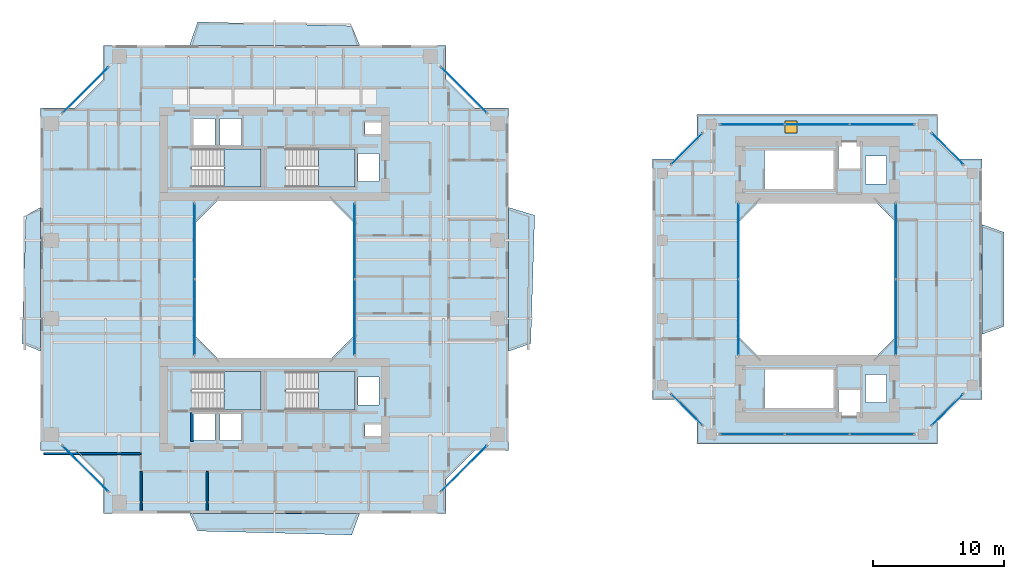
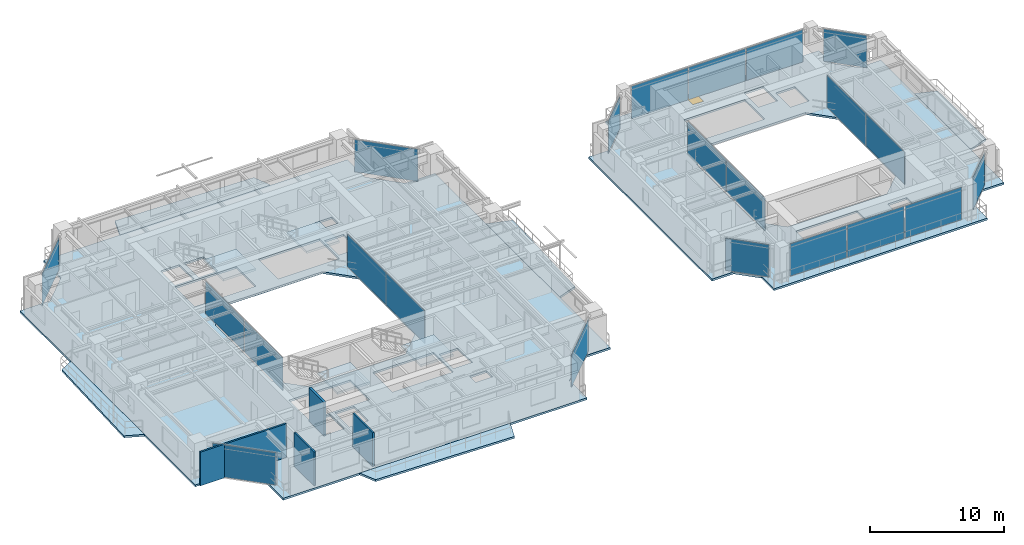
# One storey, part 12 of 24: 22 plates, 11 slabs, 4 walls, 1 door, 1 opening, 18 elements without a shape of their own.
"""IFC4 building model written with IfcOpenShell, lengths in metres."""

from ifc_helpers import new_model, si_unit, direction, frame, frame_2d, origin, origin_2d, place, context, subcontext, project, spatial, polyline, rectangle, outline, extrude, source, transform, mapped, material, layer, layer_set, type_object, element, fill, aggregate, save


model = new_model("IFC4")

# Units and contexts
model_context = context("Model", 3, precision=1e-05, world=origin(), true_north=direction((0.0, 1.0)))
body_context = subcontext(model_context, "Body", "Model", "MODEL_VIEW")
ifc_project = project(units=[si_unit("LENGTHUNIT", "METRE"), si_unit("AREAUNIT", "SQUARE_METRE"), si_unit("VOLUMEUNIT", "CUBIC_METRE"), si_unit("PLANEANGLEUNIT", "RADIAN"), si_unit("MASSUNIT", "GRAM", prefix="KILO"), si_unit("THERMODYNAMICTEMPERATUREUNIT", "KELVIN"), si_unit("POWERUNIT", "WATT")], contexts=[model_context])

# Site, building, storey
site_placement = place(None, origin())
site = spatial("IfcSite", under=ifc_project, at=site_placement, CompositionType="ELEMENT")
building_placement = place(site_placement, origin())
building = spatial("IfcBuilding", under=site, at=building_placement, Name="Qiaomeng Ring Towers", CompositionType="ELEMENT")
storey_placement = place(building_placement, frame((0.0, 0.0, 110.0)))
storey = spatial("IfcBuildingStorey", under=building, at=storey_placement, Name="L31", CompositionType="ELEMENT", Elevation=110.0)

# Slab
ifc_material_1 = material(Name="Concrete C40", Category="concrete")
ifc_layer_1 = layer(ifc_material_1, 0.179931640625, Name="Concrete C40")
ifc_layer_set_1 = layer_set([ifc_layer_1], Name="Concrete C40")
slab_type_1 = type_object("IfcSlabType", Name="STR-SL-180", PredefinedType="FLOOR", material=ifc_layer_set_1)
slab_1_placement = place(storey_placement, frame((0.0, 0.0, -0.179931640625)))
element("IfcSlab", 1, at=slab_1_placement, inside=storey, type_object=slab_type_1, Name="L31 Tower 1 Annular Floor Slab", PredefinedType="FLOOR", context=body_context, shape_type="SweptSolid", body=[
    extrude(outline(polyline([(5.89990234375, 5.10009765625), (32.10009765625, 5.10009765625), (32.10009765625, 7.699951171875), (34.300048828125, 9.89990234375), (36.89990234375, 9.89990234375), (36.89990234375, 36.10009765625), (34.300048828125, 36.10009765625), (32.10009765625, 38.300048828125), (32.10009765625, 40.89990234375), (5.89990234375, 40.89990234375), (5.89990234375, 38.300048828125), (3.699951171875, 36.10009765625), (1.10009765625, 36.10009765625), (1.10009765625, 9.89990234375), (3.699951171875, 9.89990234375), (5.89990234375, 7.699951171875), (5.89990234375, 5.10009765625)]), holes=[polyline([(12.780029296875, 10.679931640625), (12.780029296875, 12.820068359375), (14.419921875, 12.820068359375), (14.419921875, 10.679931640625), (12.780029296875, 10.679931640625)]), polyline([(14.830078125, 12.820068359375), (16.469970703125, 12.820068359375), (16.469970703125, 10.679931640625), (14.830078125, 10.679931640625), (14.830078125, 12.820068359375)]), polyline([(12.679931640625, 15.949951171875), (17.949951171875, 15.949951171875), (17.949951171875, 13.010009765625), (12.679931640625, 13.010009765625), (12.679931640625, 15.949951171875)]), polyline([(23.199951171875, 29.199951171875), (25.199951171875, 27.199951171875), (25.199951171875, 18.800048828125), (23.199951171875, 16.800048828125), (14.800048828125, 16.800048828125), (12.800048828125, 18.800048828125), (12.800048828125, 27.199951171875), (14.800048828125, 29.199951171875), (23.199951171875, 29.199951171875)]), polyline([(12.679931640625, 32.989990234375), (17.949951171875, 32.989990234375), (17.949951171875, 30.050048828125), (12.679931640625, 30.050048828125), (12.679931640625, 32.989990234375)]), polyline([(12.780029296875, 35.320068359375), (14.419921875, 35.320068359375), (14.419921875, 33.179931640625), (12.780029296875, 33.179931640625), (12.780029296875, 35.320068359375)]), polyline([(14.830078125, 33.179931640625), (14.830078125, 35.320068359375), (16.469970703125, 35.320068359375), (16.469970703125, 33.179931640625), (14.830078125, 33.179931640625)]), polyline([(25.919921875, 11.89990234375), (27.360107421875, 11.89990234375), (27.360107421875, 11.0), (25.919921875, 11.0), (25.919921875, 11.89990234375)]), polyline([(25.360107421875, 15.52001953125), (27.0, 15.52001953125), (27.0, 13.3798828125), (25.360107421875, 13.3798828125), (25.360107421875, 15.52001953125)]), polyline([(19.8798828125, 15.949951171875), (25.14990234375, 15.949951171875), (25.14990234375, 13.010009765625), (19.8798828125, 13.010009765625), (19.8798828125, 15.949951171875)]), polyline([(19.8798828125, 32.989990234375), (25.14990234375, 32.989990234375), (25.14990234375, 30.050048828125), (19.8798828125, 30.050048828125), (19.8798828125, 32.989990234375)]), polyline([(25.360107421875, 32.6201171875), (27.0, 32.6201171875), (27.0, 30.47998046875), (25.360107421875, 30.47998046875), (25.360107421875, 32.6201171875)]), polyline([(25.919921875, 35.0), (27.360107421875, 35.0), (27.360107421875, 34.10009765625), (25.919921875, 34.10009765625), (25.919921875, 35.0)])]), origin(), (0.0, 0.0, 1.0), 0.179931640625),
])

# Slab, opening, door
slab_2_placement = place(storey_placement, frame((0.0, 0.0, -0.179931640625)))
slab_2 = element("IfcSlab", 2, at=slab_2_placement, inside=storey, type_object=slab_type_1, Name="L31 Companion Tower 2 Annular Floor Slab", PredefinedType="FLOOR", context=body_context, shape_type="SweptSolid", body=[
    extrude(outline(polyline([(51.300048828125, 10.39990234375), (69.699951171875, 10.39990234375), (69.699951171875, 12.300048828125), (71.199951171875, 13.800048828125), (73.10009765625, 13.800048828125), (73.10009765625, 32.199951171875), (71.199951171875, 32.199951171875), (69.699951171875, 33.699951171875), (69.699951171875, 35.60009765625), (51.300048828125, 35.60009765625), (51.300048828125, 33.699951171875), (49.800048828125, 32.199951171875), (47.89990234375, 32.199951171875), (47.89990234375, 13.800048828125), (49.800048828125, 13.800048828125), (51.300048828125, 12.300048828125), (51.300048828125, 10.39990234375)]), holes=[polyline([(62.1298828125, 12.3798828125), (62.1298828125, 14.52001953125), (63.77001953125, 14.52001953125), (63.77001953125, 12.3798828125), (62.1298828125, 12.3798828125)]), polyline([(56.47998046875, 13.159912109375), (56.47998046875, 16.10009765625), (61.75, 16.10009765625), (61.75, 13.159912109375), (56.47998046875, 13.159912109375)]), polyline([(64.179931640625, 13.580078125), (64.179931640625, 15.719970703125), (65.820068359375, 15.719970703125), (65.820068359375, 13.580078125), (64.179931640625, 13.580078125)]), polyline([(64.800048828125, 29.10009765625), (66.60009765625, 27.300048828125), (66.60009765625, 18.699951171875), (64.800048828125, 16.89990234375), (56.199951171875, 16.89990234375), (54.39990234375, 18.699951171875), (54.39990234375, 27.300048828125), (56.199951171875, 29.10009765625), (64.800048828125, 29.10009765625)]), polyline([(64.179931640625, 30.280029296875), (64.179931640625, 32.419921875), (65.820068359375, 32.419921875), (65.820068359375, 30.280029296875), (64.179931640625, 30.280029296875)]), polyline([(56.47998046875, 32.840087890625), (61.75, 32.840087890625), (61.75, 29.89990234375), (56.47998046875, 29.89990234375), (56.47998046875, 32.840087890625)]), polyline([(62.1298828125, 33.6201171875), (63.77001953125, 33.6201171875), (63.77001953125, 31.47998046875), (62.1298828125, 31.47998046875), (62.1298828125, 33.6201171875)])]), origin(), (0.0, 0.0, 1.0), 0.179931640625),
])
opening_placement = place(slab_2_placement, frame((58.5, 34.64990234375, 0.0)))
opening = element("IfcOpeningElement", 3, at=opening_placement, cuts=slab_2, Name="Opening HT2", PredefinedType="OPENING", context=body_context, shape_type="SweptSolid", body=[
    extrude(rectangle(XDim=0.89990234375, YDim=0.89990234375, at=origin_2d()), frame((0.0, 0.0, -0.010009765625)), (0.0, 0.0, 1.0), 0.199951171875),
])
ifc_material_2 = material(Name="Galvanised steel", Category="steel")
door_type = type_object("IfcDoorType", Name="ARC-DR-TD1", OperationType="NOTDEFINED", PredefinedType="TRAPDOOR", material=ifc_material_2)
door_placement = place(opening_placement, frame((0.0, 0.0, 0.1298828125)))
door = element("IfcDoor", 4, at=door_placement, inside=storey, type_object=door_type, Name="L31 Companion Maintenance Access Hatch HT2", OperationType="SINGLE_SWING_LEFT", OverallHeight=0.89990234375, OverallWidth=0.89990234375, PredefinedType="TRAPDOOR", context=body_context, shape_type="SweptSolid", body=[
    extrude(rectangle(XDim=0.89990234375, YDim=0.89990234375, at=origin_2d()), origin(), (0.0, 0.0, 1.0), 0.050048828125),
])
fill(opening, door)

# Slabs
ifc_layer_2 = layer(ifc_material_1, 0.179931640625, Name="Concrete C40")
ifc_layer_set_2 = layer_set([ifc_layer_2], Name="Concrete C40")
slab_type_2 = type_object("IfcSlabType", Name="STR-SL-BAL", PredefinedType="FLOOR", material=ifc_layer_set_2)
slab_3_placement = place(storey_placement, frame((0.0, 0.0, -0.179931640625)))
element("IfcSlab", 5, at=slab_3_placement, inside=storey, type_object=slab_type_2, Name="L31 Tower 1 S Faceted Balcony Slab", PredefinedType="FLOOR", context=body_context, shape_type="SweptSolid", body=[
    extrude(outline(polyline([(24.89990234375, 3.449951171875), (13.10009765625, 3.75), (12.5, 5.10009765625), (25.5, 5.10009765625), (24.89990234375, 3.449951171875)])), origin(), (0.0, 0.0, 1.0), 0.179931640625),
])
slab_4_placement = place(storey_placement, frame((0.0, 0.0, -0.179931640625)))
element("IfcSlab", 6, at=slab_4_placement, inside=storey, type_object=slab_type_2, Name="L31 Tower 1 E Faceted Balcony Slab", PredefinedType="FLOOR", context=body_context, shape_type="SweptSolid", body=[
    extrude(outline(polyline([(38.889892578125, 27.89990234375), (38.590087890625, 18.10009765625), (36.89990234375, 17.5), (36.89990234375, 28.5), (38.889892578125, 27.89990234375)])), origin(), (0.0, 0.0, 1.0), 0.179931640625),
])
slab_5_placement = place(storey_placement, frame((0.0, 0.0, -0.179931640625)))
element("IfcSlab", 7, at=slab_5_placement, inside=storey, type_object=slab_type_2, Name="L31 Tower 1 N Faceted Balcony Slab", PredefinedType="FLOOR", context=body_context, shape_type="SweptSolid", body=[
    extrude(outline(polyline([(12.5, 40.89990234375), (13.10009765625, 42.68994140625), (24.89990234375, 42.389892578125), (25.5, 40.89990234375), (12.5, 40.89990234375)])), origin(), (0.0, 0.0, 1.0), 0.179931640625),
])
slab_6_placement = place(storey_placement, frame((0.0, 0.0, -0.179931640625)))
element("IfcSlab", 8, at=slab_6_placement, inside=storey, type_object=slab_type_2, Name="L31 Tower 1 W Faceted Balcony Slab", PredefinedType="FLOOR", context=body_context, shape_type="SweptSolid", body=[
    extrude(outline(polyline([(-0.330078125, 18.10009765625), (-0.030029296875, 27.89990234375), (1.10009765625, 28.5), (1.10009765625, 17.5), (-0.330078125, 18.10009765625)])), origin(), (0.0, 0.0, 1.0), 0.179931640625),
])
slab_7_placement = place(storey_placement, frame((0.0, 0.0, -0.179931640625)))
element("IfcSlab", 9, at=slab_7_placement, inside=storey, type_object=slab_type_2, Name="L31 Companion East Faceted Balcony Slab", PredefinedType="FLOOR", context=body_context, shape_type="SweptSolid", body=[
    extrude(outline(polyline([(74.7900390625, 26.60009765625), (74.7900390625, 19.39990234375), (73.10009765625, 18.800048828125), (73.10009765625, 27.199951171875), (74.7900390625, 26.60009765625)])), origin(), (0.0, 0.0, 1.0), 0.179931640625),
])

# Stair, slab
ifc_material_3 = material(Name="Precast concrete C40", Category="concrete")
stair_type = type_object("IfcStairType", Name="ARC-ST-325", PredefinedType="HALF_TURN_STAIR", material=ifc_material_3)
stair_1_placement = place(storey_placement, origin())
stair_1 = element("IfcStair", 10, at=stair_1_placement, inside=storey, type_object=stair_type, Name="L31 Tower 1 North Stair 1", PredefinedType="HALF_TURN_STAIR")
ifc_layer_3 = layer(ifc_material_1, 0.199951171875, Name="Concrete C40")
ifc_layer_set_3 = layer_set([ifc_layer_3], Name="Concrete C40")
slab_type_3 = type_object("IfcSlabType", Name="STR-SL-LANDING", PredefinedType="LANDING", material=ifc_layer_set_3)
slab_8_placement = place(storey_placement, frame((0.0, 0.0, 1.425048828125)))
slab_8 = element("IfcSlab", 11, at=slab_8_placement, type_object=slab_type_3, Name="ST1 landing 1", PredefinedType="LANDING", context=body_context, shape_type="SweptSolid", body=[
    extrude(outline(polyline([(15.139892578125, 30.050048828125), (17.949951171875, 30.050048828125), (17.949951171875, 32.989990234375), (15.139892578125, 32.989990234375), (15.139892578125, 30.050048828125)])), origin(), (0.0, 0.0, 1.0), 0.199951171875),
])
aggregate(stair_1, [slab_8])

stair_2_placement = place(storey_placement, origin())
stair_2 = element("IfcStair", 12, at=stair_2_placement, inside=storey, type_object=stair_type, Name="L31 Tower 1 North Stair 2", PredefinedType="HALF_TURN_STAIR")
slab_9_placement = place(storey_placement, frame((0.0, 0.0, 1.425048828125)))
slab_9 = element("IfcSlab", 13, at=slab_9_placement, type_object=slab_type_3, Name="ST2 landing 1", PredefinedType="LANDING", context=body_context, shape_type="SweptSolid", body=[
    extrude(outline(polyline([(22.340087890625, 30.050048828125), (25.14990234375, 30.050048828125), (25.14990234375, 32.989990234375), (22.340087890625, 32.989990234375), (22.340087890625, 30.050048828125)])), origin(), (0.0, 0.0, 1.0), 0.199951171875),
])
aggregate(stair_2, [slab_9])

stair_3_placement = place(storey_placement, origin())
stair_3 = element("IfcStair", 14, at=stair_3_placement, inside=storey, type_object=stair_type, Name="L31 Tower 1 South Stair 3", PredefinedType="HALF_TURN_STAIR")
slab_10_placement = place(storey_placement, frame((0.0, 0.0, 1.425048828125)))
slab_10 = element("IfcSlab", 15, at=slab_10_placement, type_object=slab_type_3, Name="ST3 landing 1", PredefinedType="LANDING", context=body_context, shape_type="SweptSolid", body=[
    extrude(outline(polyline([(15.139892578125, 13.010009765625), (17.949951171875, 13.010009765625), (17.949951171875, 15.949951171875), (15.139892578125, 15.949951171875), (15.139892578125, 13.010009765625)])), origin(), (0.0, 0.0, 1.0), 0.199951171875),
])
aggregate(stair_3, [slab_10])

stair_4_placement = place(storey_placement, origin())
stair_4 = element("IfcStair", 16, at=stair_4_placement, inside=storey, type_object=stair_type, Name="L31 Tower 1 South Stair 4", PredefinedType="HALF_TURN_STAIR")
slab_11_placement = place(storey_placement, frame((0.0, 0.0, 1.425048828125)))
slab_11 = element("IfcSlab", 17, at=slab_11_placement, type_object=slab_type_3, Name="ST4 landing 1", PredefinedType="LANDING", context=body_context, shape_type="SweptSolid", body=[
    extrude(outline(polyline([(22.340087890625, 13.010009765625), (25.14990234375, 13.010009765625), (25.14990234375, 15.949951171875), (22.340087890625, 15.949951171875), (22.340087890625, 13.010009765625)])), origin(), (0.0, 0.0, 1.0), 0.199951171875),
])
aggregate(stair_4, [slab_11])

# Curtain wall, plates
ifc_material_4 = material(Name="Fluorocarbon dark-grey aluminium", Category="aluminium")
ifc_layer_4 = layer(ifc_material_4, 0.139892578125, Name="Fluorocarbon dark-grey aluminium")
ifc_layer_set_4 = layer_set([ifc_layer_4], Name="Fluorocarbon dark-grey aluminium")
curtain_wall_type_1 = type_object("IfcCurtainWallType", Name="ARC-CW-4", PredefinedType="NOTDEFINED", material=ifc_layer_set_4)
curtain_wall_1_placement = place(storey_placement, origin())
curtain_wall_1 = element("IfcCurtainWall", 18, at=curtain_wall_1_placement, inside=storey, type_object=curtain_wall_type_1, Name="L31 Curtain Wall CW4", PredefinedType="NOTDEFINED")
ifc_material_5 = material(Name="Low-E dark-grey laminated double glazing", Category="glass")
ifc_layer_5 = layer(ifc_material_5, 0.028076171875, Name="Low-E dark-grey laminated double glazing")
ifc_layer_set_5 = layer_set([ifc_layer_5], Name="Low-E dark-grey laminated double glazing")
plate_type = type_object("IfcPlateType", Name="ARC-CWP-DARK", PredefinedType="CURTAIN_PANEL", material=ifc_layer_set_5)
shared_shape_1 = source(origin(), body_context, "Body", "SweptSolid", [
    extrude(rectangle(XDim=5.75244140625, YDim=0.028076171875, at=origin_2d()), origin(), (0.0, 0.0, 1.0), 2.93994140625),
])
plate_1_placement = place(storey_placement, frame((12.8798828125, 20.09130859375, 0.06494140625), z_axis=(0.0, 0.0, 1.0), x_axis=(0.0, 1.0, 0.0)))
plate_1 = element("IfcPlate", 19, at=plate_1_placement, type_object=plate_type, Name="CW4 panel 1.1", PredefinedType="CURTAIN_PANEL", context=body_context, shape_type="MappedRepresentation", body=[
    mapped(shared_shape_1, transform((0.0, 0.0, 0.0), x_axis=(1.0, 0.0, 0.0), y_axis=(0.0, 1.0, 0.0), z_axis=(0.0, 0.0, 1.0), scale=1.0)),
])
plate_2_placement = place(storey_placement, frame((12.8798828125, 25.90869140625, 0.06494140625), z_axis=(0.0, 0.0, 1.0), x_axis=(0.0, 1.0, 0.0)))
plate_2 = element("IfcPlate", 20, at=plate_2_placement, type_object=plate_type, Name="CW4 panel 2.1", PredefinedType="CURTAIN_PANEL", context=body_context, shape_type="MappedRepresentation", body=[
    mapped(shared_shape_1, transform((0.0, 0.0, 0.0), x_axis=(1.0, 0.0, 0.0), y_axis=(0.0, 1.0, 0.0), z_axis=(0.0, 0.0, 1.0), scale=1.0)),
])
aggregate(curtain_wall_1, [plate_1, plate_2])

curtain_wall_2_placement = place(storey_placement, origin())
curtain_wall_2 = element("IfcCurtainWall", 21, at=curtain_wall_2_placement, inside=storey, type_object=curtain_wall_type_1, Name="L31 Curtain Wall CW4", PredefinedType="NOTDEFINED")
plate_3_placement = place(storey_placement, frame((25.1201171875, 20.09130859375, 0.06494140625), z_axis=(0.0, 0.0, 1.0), x_axis=(0.0, 1.0, 0.0)))
plate_3 = element("IfcPlate", 22, at=plate_3_placement, type_object=plate_type, Name="CW4 panel 1.1", PredefinedType="CURTAIN_PANEL", context=body_context, shape_type="MappedRepresentation", body=[
    mapped(shared_shape_1, transform((0.0, 0.0, 0.0), x_axis=(1.0, 0.0, 0.0), y_axis=(0.0, 1.0, 0.0), z_axis=(0.0, 0.0, 1.0), scale=1.0)),
])
plate_4_placement = place(storey_placement, frame((25.1201171875, 25.90869140625, 0.06494140625), z_axis=(0.0, 0.0, 1.0), x_axis=(0.0, 1.0, 0.0)))
plate_4 = element("IfcPlate", 23, at=plate_4_placement, type_object=plate_type, Name="CW4 panel 2.1", PredefinedType="CURTAIN_PANEL", context=body_context, shape_type="MappedRepresentation", body=[
    mapped(shared_shape_1, transform((0.0, 0.0, 0.0), x_axis=(1.0, 0.0, 0.0), y_axis=(0.0, 1.0, 0.0), z_axis=(0.0, 0.0, 1.0), scale=1.0)),
])
aggregate(curtain_wall_2, [plate_3, plate_4])

curtain_wall_3_placement = place(storey_placement, origin())
curtain_wall_3 = element("IfcCurtainWall", 24, at=curtain_wall_3_placement, inside=storey, type_object=curtain_wall_type_1, Name="L31 Curtain Wall CW4", PredefinedType="NOTDEFINED")
plate_5_placement = place(storey_placement, frame((54.47998046875, 20.09130859375, 0.06494140625), z_axis=(0.0, 0.0, 1.0), x_axis=(0.0, 1.0, 0.0)))
plate_5 = element("IfcPlate", 25, at=plate_5_placement, type_object=plate_type, Name="CW4 panel 1.1", PredefinedType="CURTAIN_PANEL", context=body_context, shape_type="MappedRepresentation", body=[
    mapped(shared_shape_1, transform((0.0, 0.0, 0.0), x_axis=(1.0, 0.0, 0.0), y_axis=(0.0, 1.0, 0.0), z_axis=(0.0, 0.0, 1.0), scale=1.0)),
])
plate_6_placement = place(storey_placement, frame((54.47998046875, 25.90869140625, 0.06494140625), z_axis=(0.0, 0.0, 1.0), x_axis=(0.0, 1.0, 0.0)))
plate_6 = element("IfcPlate", 26, at=plate_6_placement, type_object=plate_type, Name="CW4 panel 2.1", PredefinedType="CURTAIN_PANEL", context=body_context, shape_type="MappedRepresentation", body=[
    mapped(shared_shape_1, transform((0.0, 0.0, 0.0), x_axis=(1.0, 0.0, 0.0), y_axis=(0.0, 1.0, 0.0), z_axis=(0.0, 0.0, 1.0), scale=1.0)),
])
aggregate(curtain_wall_3, [plate_5, plate_6])

curtain_wall_4_placement = place(storey_placement, origin())
curtain_wall_4 = element("IfcCurtainWall", 27, at=curtain_wall_4_placement, inside=storey, type_object=curtain_wall_type_1, Name="L31 Curtain Wall CW4", PredefinedType="NOTDEFINED")
plate_7_placement = place(storey_placement, frame((66.52001953125, 20.09130859375, 0.06494140625), z_axis=(0.0, 0.0, 1.0), x_axis=(0.0, 1.0, 0.0)))
plate_7 = element("IfcPlate", 28, at=plate_7_placement, type_object=plate_type, Name="CW4 panel 1.1", PredefinedType="CURTAIN_PANEL", context=body_context, shape_type="MappedRepresentation", body=[
    mapped(shared_shape_1, transform((0.0, 0.0, 0.0), x_axis=(1.0, 0.0, 0.0), y_axis=(0.0, 1.0, 0.0), z_axis=(0.0, 0.0, 1.0), scale=1.0)),
])
plate_8_placement = place(storey_placement, frame((66.52001953125, 25.90869140625, 0.06494140625), z_axis=(0.0, 0.0, 1.0), x_axis=(0.0, 1.0, 0.0)))
plate_8 = element("IfcPlate", 29, at=plate_8_placement, type_object=plate_type, Name="CW4 panel 2.1", PredefinedType="CURTAIN_PANEL", context=body_context, shape_type="MappedRepresentation", body=[
    mapped(shared_shape_1, transform((0.0, 0.0, 0.0), x_axis=(1.0, 0.0, 0.0), y_axis=(0.0, 1.0, 0.0), z_axis=(0.0, 0.0, 1.0), scale=1.0)),
])
aggregate(curtain_wall_4, [plate_7, plate_8])

ifc_layer_6 = layer(ifc_material_4, 0.14990234375, Name="Fluorocarbon dark-grey aluminium")
ifc_layer_set_6 = layer_set([ifc_layer_6], Name="Fluorocarbon dark-grey aluminium")
curtain_wall_type_2 = type_object("IfcCurtainWallType", Name="ARC-CW-5", PredefinedType="NOTDEFINED", material=ifc_layer_set_6)
curtain_wall_5_placement = place(storey_placement, origin())
curtain_wall_5 = element("IfcCurtainWall", 30, at=curtain_wall_5_placement, inside=storey, type_object=curtain_wall_type_2, Name="L31 Curtain Wall CW5", PredefinedType="NOTDEFINED")
shared_shape_2 = source(origin(), body_context, "Body", "SweptSolid", [
    extrude(rectangle(XDim=4.868408203125, YDim=0.028076171875, at=origin_2d()), origin(), (0.0, 0.0, 1.0), 2.93994140625),
])
plate_9_placement = place(storey_placement, frame((55.544189453125, 34.85009765625, 0.06494140625), z_axis=(0.0, 0.0, 1.0), x_axis=(1.0, 0.0, 0.0)))
plate_9 = element("IfcPlate", 31, at=plate_9_placement, type_object=plate_type, Name="CW5 panel 1.1", PredefinedType="CURTAIN_PANEL", context=body_context, shape_type="MappedRepresentation", body=[
    mapped(shared_shape_2, transform((0.0, 0.0, 0.0), x_axis=(1.0, 0.0, 0.0), y_axis=(0.0, 1.0, 0.0), z_axis=(0.0, 0.0, 1.0), scale=1.0)),
])
plate_10_placement = place(storey_placement, frame((65.455810546875, 34.85009765625, 0.06494140625), z_axis=(0.0, 0.0, 1.0), x_axis=(1.0, 0.0, 0.0)))
plate_10 = element("IfcPlate", 32, at=plate_10_placement, type_object=plate_type, Name="CW5 panel 3.1", PredefinedType="CURTAIN_PANEL", context=body_context, shape_type="MappedRepresentation", body=[
    mapped(shared_shape_2, transform((0.0, 0.0, 0.0), x_axis=(1.0, 0.0, 0.0), y_axis=(0.0, 1.0, 0.0), z_axis=(0.0, 0.0, 1.0), scale=1.0)),
])

curtain_wall_6_placement = place(storey_placement, origin())
curtain_wall_6 = element("IfcCurtainWall", 33, at=curtain_wall_6_placement, inside=storey, type_object=curtain_wall_type_2, Name="L31 Curtain Wall CW5", PredefinedType="NOTDEFINED")
plate_11_placement = place(storey_placement, frame((55.544189453125, 11.14990234375, 0.06494140625), z_axis=(0.0, 0.0, 1.0), x_axis=(1.0, 0.0, 0.0)))
plate_11 = element("IfcPlate", 34, at=plate_11_placement, type_object=plate_type, Name="CW5 panel 1.1", PredefinedType="CURTAIN_PANEL", context=body_context, shape_type="MappedRepresentation", body=[
    mapped(shared_shape_2, transform((0.0, 0.0, 0.0), x_axis=(1.0, 0.0, 0.0), y_axis=(0.0, 1.0, 0.0), z_axis=(0.0, 0.0, 1.0), scale=1.0)),
])
plate_12_placement = place(storey_placement, frame((65.455810546875, 11.14990234375, 0.06494140625), z_axis=(0.0, 0.0, 1.0), x_axis=(1.0, 0.0, 0.0)))
plate_12 = element("IfcPlate", 35, at=plate_12_placement, type_object=plate_type, Name="CW5 panel 3.1", PredefinedType="CURTAIN_PANEL", context=body_context, shape_type="MappedRepresentation", body=[
    mapped(shared_shape_2, transform((0.0, 0.0, 0.0), x_axis=(1.0, 0.0, 0.0), y_axis=(0.0, 1.0, 0.0), z_axis=(0.0, 0.0, 1.0), scale=1.0)),
])

# Plate
shared_shape_3 = source(origin(), body_context, "Body", "SweptSolid", [
    extrude(rectangle(XDim=4.9033203125, YDim=0.028076171875, at=origin_2d()), origin(), (0.0, 0.0, 1.0), 2.93994140625),
])
plate_13_placement = place(storey_placement, frame((60.5, 34.85009765625, 0.06494140625), z_axis=(0.0, 0.0, 1.0), x_axis=(1.0, 0.0, 0.0)))
plate_13 = element("IfcPlate", 36, at=plate_13_placement, type_object=plate_type, Name="CW5 panel 2.1", PredefinedType="CURTAIN_PANEL", context=body_context, shape_type="MappedRepresentation", body=[
    mapped(shared_shape_3, transform((0.0, 0.0, 0.0), x_axis=(1.0, 0.0, 0.0), y_axis=(0.0, 1.0, 0.0), z_axis=(0.0, 0.0, 1.0), scale=1.0)),
])

aggregate(curtain_wall_5, [plate_9, plate_13, plate_10])

plate_14_placement = place(storey_placement, frame((60.5, 11.14990234375, 0.06494140625), z_axis=(0.0, 0.0, 1.0), x_axis=(1.0, 0.0, 0.0)))
plate_14 = element("IfcPlate", 37, at=plate_14_placement, type_object=plate_type, Name="CW5 panel 2.1", PredefinedType="CURTAIN_PANEL", context=body_context, shape_type="MappedRepresentation", body=[
    mapped(shared_shape_3, transform((0.0, 0.0, 0.0), x_axis=(1.0, 0.0, 0.0), y_axis=(0.0, 1.0, 0.0), z_axis=(0.0, 0.0, 1.0), scale=1.0)),
])

aggregate(curtain_wall_6, [plate_11, plate_14, plate_12])

# Curtain wall, plate
curtain_wall_7_placement = place(storey_placement, origin())
curtain_wall_7 = element("IfcCurtainWall", 38, at=curtain_wall_7_placement, inside=storey, type_object=curtain_wall_type_2, Name="L31 Curtain Wall CW5", PredefinedType="NOTDEFINED")
shared_shape_4 = source(origin(), body_context, "Body", "SweptSolid", [
    extrude(rectangle(XDim=3.35302734375, YDim=0.028076171875, at=origin_2d()), origin(), (0.0, 0.0, 1.0), 2.93994140625),
])
plate_15_placement = place(storey_placement, frame((70.47509765625, 13.02490234375, 0.06494140625), z_axis=(0.0, 0.0, 1.0), x_axis=(0.707106781187, 0.707106781187, 0.0)))
plate_15 = element("IfcPlate", 39, at=plate_15_placement, type_object=plate_type, Name="CW5 panel 1.1", PredefinedType="CURTAIN_PANEL", context=body_context, shape_type="MappedRepresentation", body=[
    mapped(shared_shape_4, transform((0.0, 0.0, 0.0), x_axis=(1.0, 0.0, 0.0), y_axis=(0.0, 1.0, 0.0), z_axis=(0.0, 0.0, 1.0), scale=1.0)),
])
aggregate(curtain_wall_7, [plate_15])

curtain_wall_8_placement = place(storey_placement, origin())
curtain_wall_8 = element("IfcCurtainWall", 40, at=curtain_wall_8_placement, inside=storey, type_object=curtain_wall_type_2, Name="L31 Curtain Wall CW5", PredefinedType="NOTDEFINED")
plate_16_placement = place(storey_placement, frame((70.47509765625, 32.97509765625, 0.06494140625), z_axis=(0.0, 0.0, 1.0), x_axis=(-0.707106781187, 0.707106781187, 0.0)))
plate_16 = element("IfcPlate", 41, at=plate_16_placement, type_object=plate_type, Name="CW5 panel 1.1", PredefinedType="CURTAIN_PANEL", context=body_context, shape_type="MappedRepresentation", body=[
    mapped(shared_shape_4, transform((0.0, 0.0, 0.0), x_axis=(1.0, 0.0, 0.0), y_axis=(0.0, 1.0, 0.0), z_axis=(0.0, 0.0, 1.0), scale=1.0)),
])
aggregate(curtain_wall_8, [plate_16])

curtain_wall_9_placement = place(storey_placement, origin())
curtain_wall_9 = element("IfcCurtainWall", 42, at=curtain_wall_9_placement, inside=storey, type_object=curtain_wall_type_2, Name="L31 Curtain Wall CW5", PredefinedType="NOTDEFINED")
plate_17_placement = place(storey_placement, frame((50.52490234375, 32.97509765625, 0.06494140625), z_axis=(0.0, 0.0, 1.0), x_axis=(-0.707106781187, -0.707106781187, 0.0)))
plate_17 = element("IfcPlate", 43, at=plate_17_placement, type_object=plate_type, Name="CW5 panel 1.1", PredefinedType="CURTAIN_PANEL", context=body_context, shape_type="MappedRepresentation", body=[
    mapped(shared_shape_4, transform((0.0, 0.0, 0.0), x_axis=(1.0, 0.0, 0.0), y_axis=(0.0, 1.0, 0.0), z_axis=(0.0, 0.0, 1.0), scale=1.0)),
])
aggregate(curtain_wall_9, [plate_17])

curtain_wall_10_placement = place(storey_placement, origin())
curtain_wall_10 = element("IfcCurtainWall", 44, at=curtain_wall_10_placement, inside=storey, type_object=curtain_wall_type_2, Name="L31 Curtain Wall CW5", PredefinedType="NOTDEFINED")
plate_18_placement = place(storey_placement, frame((50.52490234375, 13.02490234375, 0.06494140625), z_axis=(0.0, 0.0, 1.0), x_axis=(0.707106781187, -0.707106781187, 0.0)))
plate_18 = element("IfcPlate", 45, at=plate_18_placement, type_object=plate_type, Name="CW5 panel 1.1", PredefinedType="CURTAIN_PANEL", context=body_context, shape_type="MappedRepresentation", body=[
    mapped(shared_shape_4, transform((0.0, 0.0, 0.0), x_axis=(1.0, 0.0, 0.0), y_axis=(0.0, 1.0, 0.0), z_axis=(0.0, 0.0, 1.0), scale=1.0)),
])
aggregate(curtain_wall_10, [plate_18])

ifc_layer_7 = layer(ifc_material_4, 0.14990234375, Name="Fluorocarbon dark-grey aluminium")
ifc_layer_set_7 = layer_set([ifc_layer_7], Name="Fluorocarbon dark-grey aluminium")
curtain_wall_type_3 = type_object("IfcCurtainWallType", Name="ARC-CW-3", PredefinedType="NOTDEFINED", material=ifc_layer_set_7)
curtain_wall_11_placement = place(storey_placement, origin())
curtain_wall_11 = element("IfcCurtainWall", 46, at=curtain_wall_11_placement, inside=storey, type_object=curtain_wall_type_3, Name="L31 Curtain Wall CW3", PredefinedType="NOTDEFINED")
shared_shape_5 = source(origin(), body_context, "Body", "SweptSolid", [
    extrude(rectangle(XDim=4.90869140625, YDim=0.028076171875, at=origin_2d()), origin(), (0.0, 0.0, 1.0), 2.93994140625),
])
plate_19_placement = place(storey_placement, frame((33.47509765625, 8.52490234375, 0.06494140625), z_axis=(0.0, 0.0, 1.0), x_axis=(0.707106781187, 0.707106781187, 0.0)))
plate_19 = element("IfcPlate", 47, at=plate_19_placement, type_object=plate_type, Name="CW3 panel 1.1", PredefinedType="CURTAIN_PANEL", context=body_context, shape_type="MappedRepresentation", body=[
    mapped(shared_shape_5, transform((0.0, 0.0, 0.0), x_axis=(1.0, 0.0, 0.0), y_axis=(0.0, 1.0, 0.0), z_axis=(0.0, 0.0, 1.0), scale=1.0)),
])
aggregate(curtain_wall_11, [plate_19])

curtain_wall_12_placement = place(storey_placement, origin())
curtain_wall_12 = element("IfcCurtainWall", 48, at=curtain_wall_12_placement, inside=storey, type_object=curtain_wall_type_3, Name="L31 Curtain Wall CW3", PredefinedType="NOTDEFINED")
plate_20_placement = place(storey_placement, frame((33.47509765625, 37.47509765625, 0.06494140625), z_axis=(0.0, 0.0, 1.0), x_axis=(-0.707106781187, 0.707106781187, 0.0)))
plate_20 = element("IfcPlate", 49, at=plate_20_placement, type_object=plate_type, Name="CW3 panel 1.1", PredefinedType="CURTAIN_PANEL", context=body_context, shape_type="MappedRepresentation", body=[
    mapped(shared_shape_5, transform((0.0, 0.0, 0.0), x_axis=(1.0, 0.0, 0.0), y_axis=(0.0, 1.0, 0.0), z_axis=(0.0, 0.0, 1.0), scale=1.0)),
])
aggregate(curtain_wall_12, [plate_20])

curtain_wall_13_placement = place(storey_placement, origin())
curtain_wall_13 = element("IfcCurtainWall", 50, at=curtain_wall_13_placement, inside=storey, type_object=curtain_wall_type_3, Name="L31 Curtain Wall CW3", PredefinedType="NOTDEFINED")
plate_21_placement = place(storey_placement, frame((4.52490234375, 37.47509765625, 0.06494140625), z_axis=(0.0, 0.0, 1.0), x_axis=(-0.707106781187, -0.707106781187, 0.0)))
plate_21 = element("IfcPlate", 51, at=plate_21_placement, type_object=plate_type, Name="CW3 panel 1.1", PredefinedType="CURTAIN_PANEL", context=body_context, shape_type="MappedRepresentation", body=[
    mapped(shared_shape_5, transform((0.0, 0.0, 0.0), x_axis=(1.0, 0.0, 0.0), y_axis=(0.0, 1.0, 0.0), z_axis=(0.0, 0.0, 1.0), scale=1.0)),
])
aggregate(curtain_wall_13, [plate_21])

curtain_wall_14_placement = place(storey_placement, origin())
curtain_wall_14 = element("IfcCurtainWall", 52, at=curtain_wall_14_placement, inside=storey, type_object=curtain_wall_type_3, Name="L31 Curtain Wall CW3", PredefinedType="NOTDEFINED")
plate_22_placement = place(storey_placement, frame((4.52490234375, 8.52490234375, 0.06494140625), z_axis=(0.0, 0.0, 1.0), x_axis=(0.707106781187, -0.707106781187, 0.0)))
plate_22 = element("IfcPlate", 53, at=plate_22_placement, type_object=plate_type, Name="CW3 panel 1.1", PredefinedType="CURTAIN_PANEL", context=body_context, shape_type="MappedRepresentation", body=[
    mapped(shared_shape_5, transform((0.0, 0.0, 0.0), x_axis=(1.0, 0.0, 0.0), y_axis=(0.0, 1.0, 0.0), z_axis=(0.0, 0.0, 1.0), scale=1.0)),
])
aggregate(curtain_wall_14, [plate_22])

# Walls
ifc_material_6 = material(Name="Autoclaved aerated concrete block", Category="concrete")
ifc_layer_8 = layer(ifc_material_6, 0.199951171875, Name="Autoclaved aerated concrete block")
ifc_layer_set_8 = layer_set([ifc_layer_8], Name="Autoclaved aerated concrete block")
wall_type_1 = type_object("IfcWallType", Name="ARC-WL-PW1", PredefinedType="PARTITIONING", material=ifc_layer_set_8)
wall_1_placement = place(storey_placement, frame((12.679931640625, 10.60009765625, 0.0), z_axis=(0.0, 0.0, 1.0), x_axis=(0.0, 1.0, 0.0)))
element("IfcWall", 54, at=wall_1_placement, inside=storey, type_object=wall_type_1, Name="L31 Interior Wall PW1", PredefinedType="PARTITIONING", context=body_context, shape_type="SweptSolid", body=[
    extrude(rectangle(XDim=2.2099609375, YDim=0.199951171875, at=frame_2d((1.10498046875, 0.0))), origin(), (0.0, 0.0, 1.0), 3.070068359375),
])
ifc_material_7 = material(Name="Gypsum fireboard steel-stud partition", Category="steel")
ifc_layer_9 = layer(ifc_material_7, 0.14990234375, Name="Gypsum fireboard steel-stud partition")
ifc_layer_set_9 = layer_set([ifc_layer_9], Name="Gypsum fireboard steel-stud partition")
wall_type_2 = type_object("IfcWallType", Name="ARC-WL-PW3", PredefinedType="PARTITIONING", material=ifc_layer_set_9)
for number, where, z_axis, x_axis, name in (
    (55, (13.830078125, 5.35009765625, 0.0), (0.0, 0.0, 1.0), (0.0, 1.0, 0.0), "L31 Interior Wall PW3"),
    (56, (8.780029296875, 5.35009765625, 0.0), (0.0, 0.0, 1.0), (0.0, 1.0, 0.0), "L31 Interior Wall PW3"),
):
    element("IfcWall", number, at=place(storey_placement, frame(where, z_axis=z_axis, x_axis=x_axis)), inside=storey, type_object=wall_type_2, Name=name, PredefinedType="PARTITIONING", context=body_context, shape_type="SweptSolid", body=[
        extrude(rectangle(XDim=2.9599609375, YDim=0.14990234375, at=frame_2d((1.47998046875, 0.0))), origin(), (0.0, 0.0, 1.0), 3.070068359375),
    ])
wall_2_placement = place(storey_placement, frame((1.35009765625, 9.669921875, 0.0), z_axis=(0.0, 0.0, 1.0), x_axis=(1.0, 0.0, 0.0)))
element("IfcWall", 57, at=wall_2_placement, inside=storey, type_object=wall_type_2, Name="L31 Interior Wall PW3", PredefinedType="PARTITIONING", context=body_context, shape_type="SweptSolid", body=[
    extrude(rectangle(XDim=7.429931640625, YDim=0.14990234375, at=frame_2d((3.71484375, 0.0))), origin(), (0.0, 0.0, 1.0), 3.070068359375),
])

save(model, "model.ifc")
